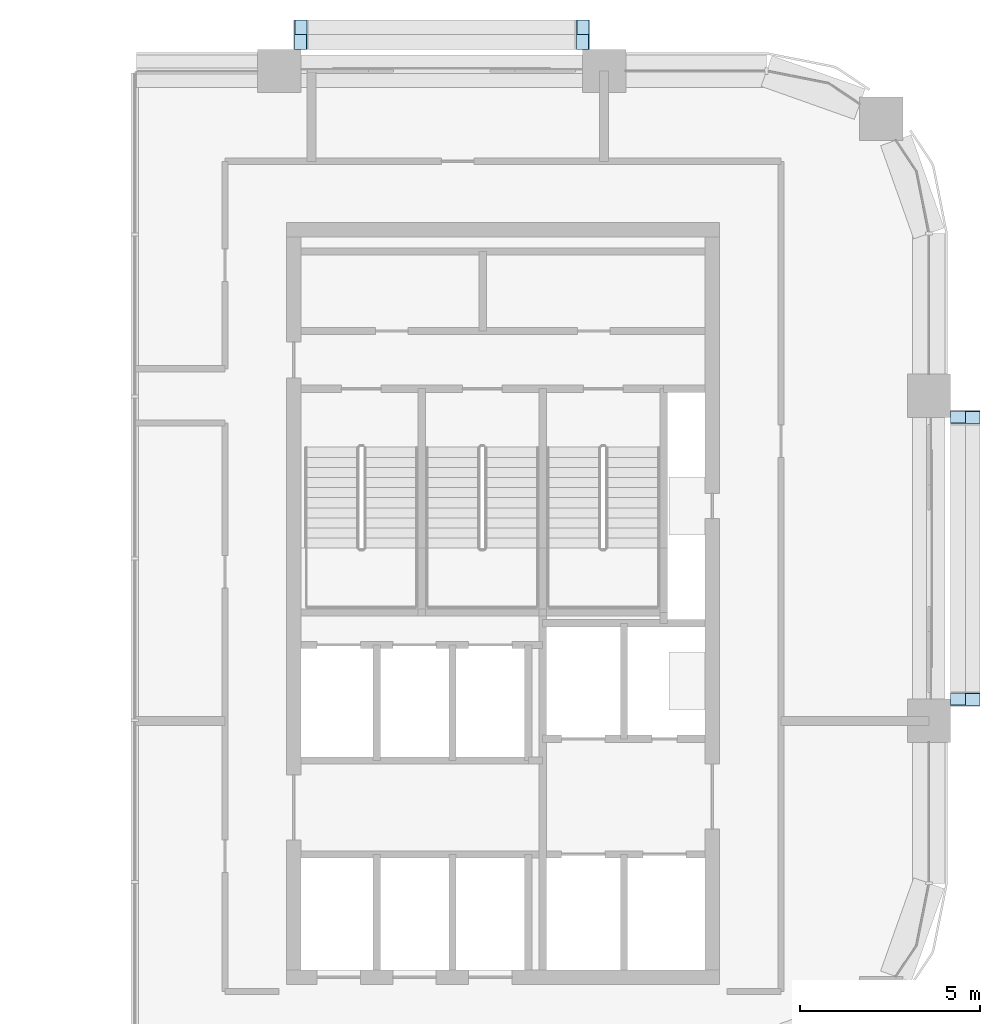
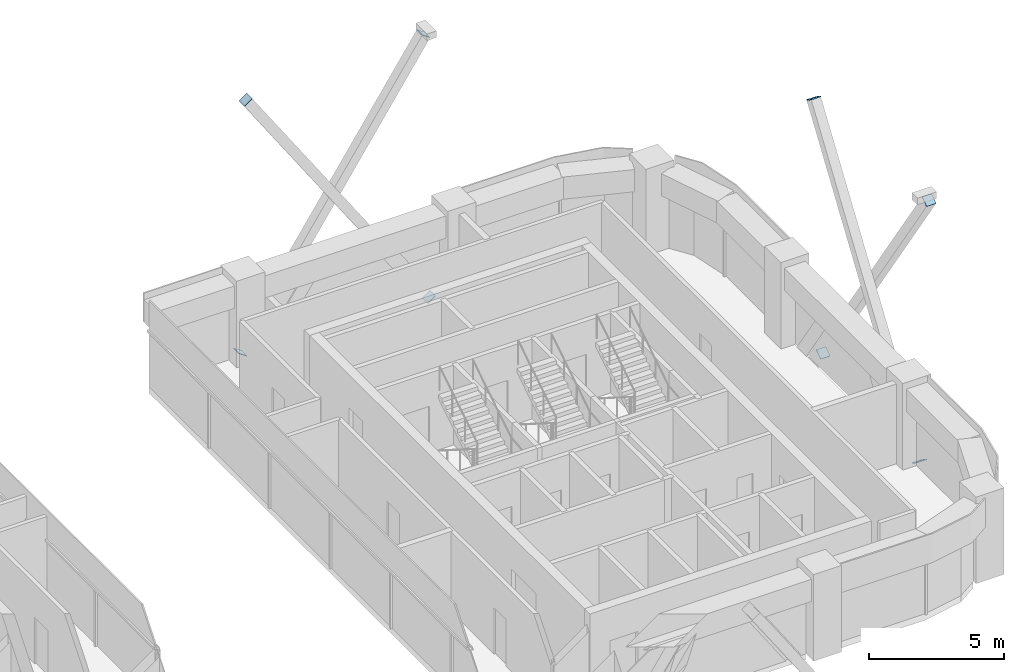
# One storey, part 8 of 14: 8 plates.
"""IFC4 building model written with IfcOpenShell, lengths in metres."""

from ifc_helpers import new_model, si_unit, direction, frame, origin, origin_2d, place, context, subcontext, project, spatial, rectangle, extrude, material, layer, layer_set, type_object, element, save


model = new_model("IFC4")

# Units and contexts
model_context = context("Model", 3, precision=1e-05, world=origin(), true_north=direction((0.0, 1.0)))
body_context = subcontext(model_context, "Body", "Model", "MODEL_VIEW")
ifc_project = project(units=[si_unit("LENGTHUNIT", "METRE"), si_unit("AREAUNIT", "SQUARE_METRE"), si_unit("VOLUMEUNIT", "CUBIC_METRE"), si_unit("PLANEANGLEUNIT", "RADIAN"), si_unit("MASSUNIT", "GRAM", prefix="KILO")], contexts=[model_context])

# Site, building, storey
site_placement = place(None, origin())
site = spatial("IfcSite", under=ifc_project, at=site_placement, CompositionType="ELEMENT")
building_placement = place(site_placement, origin())
building = spatial("IfcBuilding", under=site, at=building_placement, Name="Tessera Arch", CompositionType="ELEMENT")
storey_placement = place(building_placement, frame((0.0, 0.0, 215.0)))
storey = spatial("IfcBuildingStorey", under=building, at=storey_placement, Name="L51", CompositionType="ELEMENT", Elevation=215.0)

# Plates
ifc_material = material(Name="Steel A572 Gr50", Category="steel")
ifc_layer = layer(ifc_material, 0.02490234375)
ifc_layer_set = layer_set([ifc_layer], Name="End plate HSS16x16x5/8")
plate_type = type_object("IfcPlateType", Name="End plate HSS16x16x5/8", PredefinedType="SHEET", material=ifc_layer_set)
for number, where, z_axis, x_axis, name in (
    (1, (54.80322265625, 36.5859375, -0.82080078125), (0.0, 0.56363832993, 0.826021690414), (-1.0, 0.0, 0.0), "End plate HSS16x16x5/8 E54.27-1 A1 L51"),
    (2, (54.80322265625, 44.39990234375, 10.800048828125), (0.0, 0.56363832993, 0.826021690414), (-1.0, 0.0, 0.0), "End plate HSS16x16x5/8 E54.27-1 A2 L51"),
    (3, (55.209716796875, 44.4140625, -0.82080078125), (0.0, -0.56363832993, 0.826021690414), (1.0, 0.0, 0.0), "End plate HSS16x16x5/8 E54.27-1 B1 L51"),
    (4, (55.209716796875, 36.60009765625, 10.800048828125), (0.0, -0.56363832993, 0.826021690414), (1.0, 0.0, 0.0), "End plate HSS16x16x5/8 E54.27-1 B2 L51"),
    (5, (44.4140625, 54.80322265625, -0.82080078125), (-0.56363832993, 0.0, 0.826021690414), (0.0, -1.0, 0.0), "End plate HSS16x16x5/8 N54.32-1 A1 L51"),
    (6, (36.60009765625, 54.80322265625, 10.800048828125), (-0.56363832993, 0.0, 0.826021690414), (0.0, -1.0, 0.0), "End plate HSS16x16x5/8 N54.32-1 A2 L51"),
    (7, (36.5859375, 55.209716796875, -0.82080078125), (0.56363832993, 0.0, 0.826021690414), (0.0, 1.0, 0.0), "End plate HSS16x16x5/8 N54.32-1 B1 L51"),
    (8, (44.39990234375, 55.209716796875, 10.800048828125), (0.56363832993, 0.0, 0.826021690414), (0.0, 1.0, 0.0), "End plate HSS16x16x5/8 N54.32-1 B2 L51"),
):
    element("IfcPlate", number, at=place(storey_placement, frame(where, z_axis=z_axis, x_axis=x_axis)), inside=storey, type_object=plate_type, Name=name, PredefinedType="SHEET", context=body_context, shape_type="SweptSolid", body=[
        extrude(rectangle(XDim=0.406494140625, YDim=0.406494140625, at=origin_2d()), origin(), (0.0, 0.0, 1.0), 0.025146484375),
    ])

save(model, "model.ifc")
